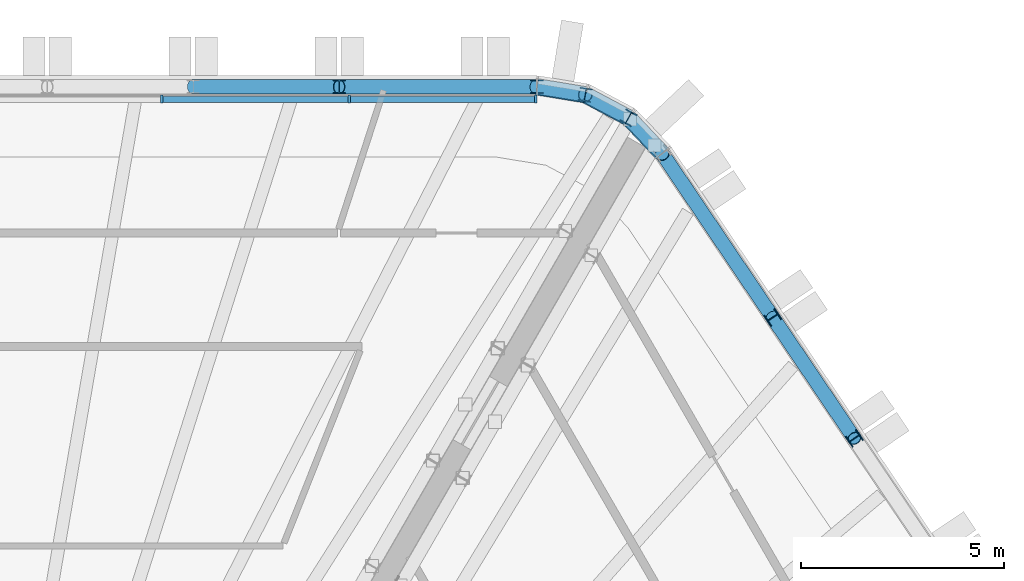
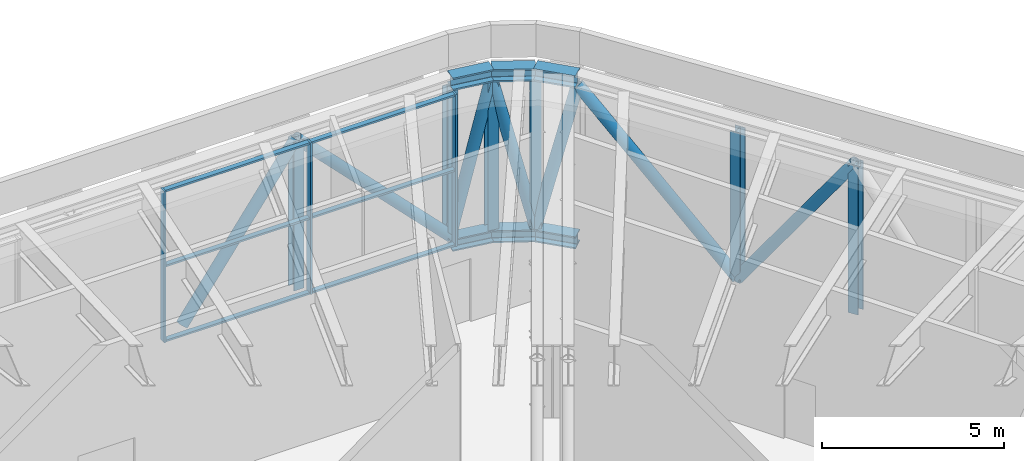
# One storey, part 9 of 24: 28 members, 1 element without a shape of its own.
"""IFC4 building model written with IfcOpenShell, lengths in metres."""

from ifc_helpers import new_model, si_unit, direction, frame, origin, origin_2d, place, context, subcontext, project, spatial, rectangle, hollow_circle, i_section, extrude, material, material_profile, profile_set, type_object, element, aggregate, save


model = new_model("IFC4")

# Units and contexts
model_context = context("Model", 3, precision=1e-05, world=origin(), true_north=direction((0.0, 1.0)))
body_context = subcontext(model_context, "Body", "Model", "MODEL_VIEW")
ifc_project = project(units=[si_unit("LENGTHUNIT", "METRE"), si_unit("AREAUNIT", "SQUARE_METRE"), si_unit("VOLUMEUNIT", "CUBIC_METRE"), si_unit("PLANEANGLEUNIT", "RADIAN"), si_unit("MASSUNIT", "GRAM", prefix="KILO")], contexts=[model_context])

# Site, building, storey
site_placement = place(None, origin())
site = spatial("IfcSite", under=ifc_project, at=site_placement, CompositionType="ELEMENT")
building_placement = place(site_placement, origin())
building = spatial("IfcBuilding", under=site, at=building_placement, Name="Tarnside Tower", CompositionType="ELEMENT")
storey_placement = place(building_placement, frame((0.0, 0.0, 250.199951171875)))
storey = spatial("IfcBuildingStorey", under=building, at=storey_placement, Name="L60", CompositionType="ELEMENT", Elevation=250.199951171875)

# Curtain wall, members
ifc_material_1 = material(Name="Sky lobby glazing wall", Category="glass")
curtain_wall_type = type_object("IfcCurtainWallType", Name="Sky lobby glazing wall", PredefinedType="NOTDEFINED", material=ifc_material_1)
curtain_wall_placement = place(storey_placement, origin())
curtain_wall = element("IfcCurtainWall", 1, at=curtain_wall_placement, inside=storey, type_object=curtain_wall_type, Name="Sky lobby glazing L60 F1", PredefinedType="NOTDEFINED")
ifc_material_2 = material(Name="Aluminium alloy 6063", Category="aluminium")
ifc_material_profile_1 = material_profile(ifc_material_2, rectangle(XDim=0.199951171875, YDim=0.06005859375, at=origin_2d()), Name="Sky lobby glazing mullion 60 x 200")
ifc_profile_set_1 = profile_set([ifc_material_profile_1], Name="Aluminium alloy 6063")
member_type_1 = type_object("IfcMemberType", Name="Sky lobby glazing mullion 60 x 200", PredefinedType="MULLION", material=ifc_profile_set_1)
member_1_placement = place(storey_placement, frame((12.73095703125, 27.42138671875, 0.0), z_axis=(0.0, 0.0, 1.0), x_axis=(0.0, -1.0, 0.0)))
member_1 = element("IfcMember", 2, at=member_1_placement, type_object=member_type_1, Name="CW4 mullion 1", PredefinedType="MULLION", context=body_context, shape_type="SweptSolid", body=[
    extrude(rectangle(XDim=0.199951171875, YDim=0.06005859375, at=origin_2d()), origin(), (0.0, 0.0, 1.0), 5.0810546875),
])
member_2_placement = place(storey_placement, frame((8.134765625, 27.42138671875, 0.0), z_axis=(0.0, 0.0, 1.0), x_axis=(0.0, -1.0, 0.0)))
member_2 = element("IfcMember", 3, at=member_2_placement, type_object=member_type_1, Name="CW4 mullion 2", PredefinedType="MULLION", context=body_context, shape_type="SweptSolid", body=[
    extrude(rectangle(XDim=0.199951171875, YDim=0.06005859375, at=origin_2d()), origin(), (0.0, 0.0, 1.0), 5.0810546875),
])
member_3_placement = place(storey_placement, frame((3.50830078125, 27.42138671875, 0.0), z_axis=(0.0, 0.0, 1.0), x_axis=(0.0, -1.0, 0.0)))
member_3 = element("IfcMember", 4, at=member_3_placement, type_object=member_type_1, Name="CW4 mullion 3", PredefinedType="MULLION", context=body_context, shape_type="SweptSolid", body=[
    extrude(rectangle(XDim=0.199951171875, YDim=0.06005859375, at=origin_2d()), origin(), (0.0, 0.0, 1.0), 5.0810546875),
])
ifc_material_profile_2 = material_profile(ifc_material_2, rectangle(XDim=0.159912109375, YDim=0.06005859375, at=origin_2d()), Name="Sky lobby glazing transom 60 x 160")
ifc_profile_set_2 = profile_set([ifc_material_profile_2], Name="Aluminium alloy 6063")
member_type_2 = type_object("IfcMemberType", Name="Sky lobby glazing transom 60 x 160", PredefinedType="USERDEFINED", material=ifc_profile_set_2)
member_4_placement = place(storey_placement, frame((12.700927734375, 27.42138671875, 0.030029296875), z_axis=(-1.0, 0.0, 0.0), x_axis=(0.0, -1.0, 0.0)))
member_4 = element("IfcMember", 5, at=member_4_placement, type_object=member_type_2, Name="CW4 transom 1.1", ObjectType="TRANSOM", PredefinedType="USERDEFINED", context=body_context, shape_type="SweptSolid", body=[
    extrude(rectangle(XDim=0.159912109375, YDim=0.06005859375, at=origin_2d()), origin(), (0.0, 0.0, 1.0), 4.5361328125),
])
member_5_placement = place(storey_placement, frame((12.700927734375, 27.42138671875, 2.54052734375), z_axis=(-1.0, 0.0, 0.0), x_axis=(0.0, -1.0, 0.0)))
member_5 = element("IfcMember", 6, at=member_5_placement, type_object=member_type_2, Name="CW4 transom 1.2", ObjectType="TRANSOM", PredefinedType="USERDEFINED", context=body_context, shape_type="SweptSolid", body=[
    extrude(rectangle(XDim=0.159912109375, YDim=0.06005859375, at=origin_2d()), origin(), (0.0, 0.0, 1.0), 4.5361328125),
])
member_6_placement = place(storey_placement, frame((12.700927734375, 27.42138671875, 5.051025390625), z_axis=(-1.0, 0.0, 0.0), x_axis=(0.0, -1.0, 0.0)))
member_6 = element("IfcMember", 7, at=member_6_placement, type_object=member_type_2, Name="CW4 transom 1.3", ObjectType="TRANSOM", PredefinedType="USERDEFINED", context=body_context, shape_type="SweptSolid", body=[
    extrude(rectangle(XDim=0.159912109375, YDim=0.06005859375, at=origin_2d()), origin(), (0.0, 0.0, 1.0), 4.5361328125),
])
member_7_placement = place(storey_placement, frame((8.104736328125, 27.42138671875, 0.030029296875), z_axis=(-1.0, 0.0, 0.0), x_axis=(0.0, -1.0, 0.0)))
member_7 = element("IfcMember", 8, at=member_7_placement, type_object=member_type_2, Name="CW4 transom 2.1", ObjectType="TRANSOM", PredefinedType="USERDEFINED", context=body_context, shape_type="SweptSolid", body=[
    extrude(rectangle(XDim=0.159912109375, YDim=0.06005859375, at=origin_2d()), origin(), (0.0, 0.0, 1.0), 4.56640625),
])
member_8_placement = place(storey_placement, frame((8.104736328125, 27.42138671875, 2.54052734375), z_axis=(-1.0, 0.0, 0.0), x_axis=(0.0, -1.0, 0.0)))
member_8 = element("IfcMember", 9, at=member_8_placement, type_object=member_type_2, Name="CW4 transom 2.2", ObjectType="TRANSOM", PredefinedType="USERDEFINED", context=body_context, shape_type="SweptSolid", body=[
    extrude(rectangle(XDim=0.159912109375, YDim=0.06005859375, at=origin_2d()), origin(), (0.0, 0.0, 1.0), 4.56640625),
])
member_9_placement = place(storey_placement, frame((8.104736328125, 27.42138671875, 5.051025390625), z_axis=(-1.0, 0.0, 0.0), x_axis=(0.0, -1.0, 0.0)))
member_9 = element("IfcMember", 10, at=member_9_placement, type_object=member_type_2, Name="CW4 transom 2.3", ObjectType="TRANSOM", PredefinedType="USERDEFINED", context=body_context, shape_type="SweptSolid", body=[
    extrude(rectangle(XDim=0.159912109375, YDim=0.06005859375, at=origin_2d()), origin(), (0.0, 0.0, 1.0), 4.56640625),
])
aggregate(curtain_wall, [member_1, member_2, member_3, member_4, member_5, member_6, member_7, member_8, member_9])

# Members
ifc_material_3 = material(Name="Steel S355", Category="steel")
ifc_material_profile_3 = material_profile(ifc_material_3, i_section(OverallWidth=0.403076171875, OverallDepth=0.406494140625, WebThickness=0.026611328125, FlangeThickness=0.04296875, FilletRadius=0.01513671875, at=origin_2d()), Name="UC 356x406x340")
ifc_profile_set_3 = profile_set([ifc_material_profile_3], Name="Steel S355")
member_type_3 = type_object("IfcMemberType", Name="Truss chord UC 356x406x340", PredefinedType="CHORD", material=ifc_profile_set_3)
member_10_placement = place(storey_placement, frame((15.84912109375, 26.0830078125, -0.0966796875), z_axis=(-0.686196220404, 0.727416488061, 0.0), x_axis=(-0.727416488061, -0.686196220404, 0.0)))
element("IfcMember", 11, at=member_10_placement, inside=storey, type_object=member_type_3, Name="Belt truss bottom chord L60 corner6.1", PredefinedType="CHORD", context=body_context, shape_type="SweptSolid", body=[
    extrude(i_section(OverallWidth=0.403076171875, OverallDepth=0.406494140625, WebThickness=0.026611328125, FlangeThickness=0.04296875, FilletRadius=0.01513671875, at=origin_2d()), origin(), (0.0, 0.0, 1.0), 1.208251953125),
])
member_11_placement = place(storey_placement, frame((15.02001953125, 26.9619140625, -0.0966796875), z_axis=(-0.882950818639, 0.469465495926, 0.0), x_axis=(-0.469465495926, -0.882950818639, 0.0)))
element("IfcMember", 12, at=member_11_placement, inside=storey, type_object=member_type_3, Name="Belt truss bottom chord L60 corner6.2", PredefinedType="CHORD", context=body_context, shape_type="SweptSolid", body=[
    extrude(i_section(OverallWidth=0.403076171875, OverallDepth=0.406494140625, WebThickness=0.026611328125, FlangeThickness=0.04296875, FilletRadius=0.01513671875, at=origin_2d()), origin(), (0.0, 0.0, 1.0), 1.2080078125),
])
member_12_placement = place(storey_placement, frame((13.953369140625, 27.529052734375, -0.0966796875), z_axis=(-0.986751945211, 0.162236243244, 0.0), x_axis=(-0.162236243244, -0.986751945211, 0.0)))
element("IfcMember", 13, at=member_12_placement, inside=storey, type_object=member_type_3, Name="Belt truss bottom chord L60 corner6.3", PredefinedType="CHORD", context=body_context, shape_type="SweptSolid", body=[
    extrude(i_section(OverallWidth=0.403076171875, OverallDepth=0.406494140625, WebThickness=0.026611328125, FlangeThickness=0.04296875, FilletRadius=0.01513671875, at=origin_2d()), origin(), (0.0, 0.0, 1.0), 1.20849609375),
])
ifc_material_profile_4 = material_profile(ifc_material_3, i_section(OverallWidth=0.406982421875, OverallDepth=0.4189453125, WebThickness=0.030517578125, FlangeThickness=0.04931640625, FilletRadius=0.01513671875, at=origin_2d()), Name="UC 356x406x393")
ifc_profile_set_4 = profile_set([ifc_material_profile_4], Name="Steel S355")
member_type_4 = type_object("IfcMemberType", Name="Truss chord UC 356x406x393", PredefinedType="CHORD", material=ifc_profile_set_4)
member_13_placement = place(storey_placement, frame((15.84912109375, 26.0830078125, 5.29052734375), z_axis=(-0.686196220404, 0.727416488061, 0.0), x_axis=(-0.727416488061, -0.686196220404, 0.0)))
element("IfcMember", 14, at=member_13_placement, inside=storey, type_object=member_type_4, Name="Belt truss top chord L60 corner6.1", PredefinedType="CHORD", context=body_context, shape_type="SweptSolid", body=[
    extrude(i_section(OverallWidth=0.406982421875, OverallDepth=0.4189453125, WebThickness=0.030517578125, FlangeThickness=0.04931640625, FilletRadius=0.01513671875, at=origin_2d()), origin(), (0.0, 0.0, 1.0), 1.208251953125),
])
member_14_placement = place(storey_placement, frame((15.02001953125, 26.9619140625, 5.29052734375), z_axis=(-0.882950818639, 0.469465495926, 0.0), x_axis=(-0.469465495926, -0.882950818639, 0.0)))
element("IfcMember", 15, at=member_14_placement, inside=storey, type_object=member_type_4, Name="Belt truss top chord L60 corner6.2", PredefinedType="CHORD", context=body_context, shape_type="SweptSolid", body=[
    extrude(i_section(OverallWidth=0.406982421875, OverallDepth=0.4189453125, WebThickness=0.030517578125, FlangeThickness=0.04931640625, FilletRadius=0.01513671875, at=origin_2d()), origin(), (0.0, 0.0, 1.0), 1.2080078125),
])
member_15_placement = place(storey_placement, frame((13.953369140625, 27.529052734375, 5.29052734375), z_axis=(-0.986751945211, 0.162236243244, 0.0), x_axis=(-0.162236243244, -0.986751945211, 0.0)))
element("IfcMember", 16, at=member_15_placement, inside=storey, type_object=member_type_4, Name="Belt truss top chord L60 corner6.3", PredefinedType="CHORD", context=body_context, shape_type="SweptSolid", body=[
    extrude(i_section(OverallWidth=0.406982421875, OverallDepth=0.4189453125, WebThickness=0.030517578125, FlangeThickness=0.04931640625, FilletRadius=0.01513671875, at=origin_2d()), origin(), (0.0, 0.0, 1.0), 1.20849609375),
])
ifc_material_profile_5 = material_profile(ifc_material_3, hollow_circle(Radius=0.177734375, WallThickness=0.01611328125, at=origin_2d()), Name="CHS 355.6x16")
ifc_profile_set_5 = profile_set([ifc_material_profile_5], Name="Steel S355")
member_type_5 = type_object("IfcMemberType", Name="Truss diagonal CHS 355.6x16", PredefinedType="BRACE", material=ifc_profile_set_5)
member_16_placement = place(storey_placement, frame((12.760986328125, 27.72509765625, 0.1064453125), z_axis=(-0.700205919301, 0.0, 0.713940943339), x_axis=(0.0, -1.0, 0.0)))
element("IfcMember", 17, at=member_16_placement, inside=storey, type_object=member_type_5, Name="Belt truss diagonal L60 1", PredefinedType="BRACE", context=body_context, shape_type="SweptSolid", body=[
    extrude(hollow_circle(Radius=0.177734375, WallThickness=0.01611328125, at=origin_2d()), origin(), (0.0, 0.0, 1.0), 6.9677734375),
])
for number, where, z_axis, x_axis, name in (
    (18, (7.882080078125, 27.72509765625, 5.0810546875), (-0.586274153425, 0.0, -0.810112718716), (0.0, -1.0, 0.0), "Belt truss diagonal L60 2"),
    (19, (20.590576171875, 19.0537109375, 5.0810546875), (-0.327851624773, 0.486012401313, -0.810126692502), (-0.829012171582, -0.559230560117, 0.0), "Belt truss diagonal L60 56"),
):
    element("IfcMember", number, at=place(storey_placement, frame(where, z_axis=z_axis, x_axis=x_axis)), inside=storey, type_object=member_type_5, Name=name, PredefinedType="BRACE", context=body_context, shape_type="SweptSolid", body=[
        extrude(hollow_circle(Radius=0.177734375, WallThickness=0.01611328125, at=origin_2d()), origin(), (0.0, 0.0, 1.0), 6.140625),
    ])
member_17_placement = place(storey_placement, frame((18.577392578125, 22.0380859375, 0.1064453125), z_axis=(-0.391548735125, 0.580508227611, 0.713932619858), x_axis=(-0.829043536775, -0.559184061049, 0.0)))
element("IfcMember", 20, at=member_17_placement, inside=storey, type_object=member_type_5, Name="Belt truss diagonal L60 57", PredefinedType="BRACE", context=body_context, shape_type="SweptSolid", body=[
    extrude(hollow_circle(Radius=0.177734375, WallThickness=0.01611328125, at=origin_2d()), origin(), (0.0, 0.0, 1.0), 6.968017578125),
])
for number, where, z_axis, x_axis, name in (
    (21, (15.84912109375, 26.0830078125, 5.0810546875), (-0.16195792147, 0.171686842548, -0.971747528821), (-0.727416488061, -0.686196220404, 0.0), "Belt truss diagonal L60 58"),
    (22, (15.02001953125, 26.9619140625, 0.1064453125), (-0.208363032616, 0.110786753208, 0.971756729821), (-0.469465495926, -0.882950818639, 0.0), "Belt truss diagonal L60 59"),
):
    element("IfcMember", number, at=place(storey_placement, frame(where, z_axis=z_axis, x_axis=x_axis)), inside=storey, type_object=member_type_5, Name=name, PredefinedType="BRACE", context=body_context, shape_type="SweptSolid", body=[
        extrude(hollow_circle(Radius=0.177734375, WallThickness=0.01611328125, at=origin_2d()), origin(), (0.0, 0.0, 1.0), 5.119140625),
    ])
member_18_placement = place(storey_placement, frame((13.953369140625, 27.529052734375, 5.0810546875), z_axis=(-0.232920373072, 0.038295466744, -0.971741507313), x_axis=(-0.162236243244, -0.986751945211, 0.0)))
element("IfcMember", 23, at=member_18_placement, inside=storey, type_object=member_type_5, Name="Belt truss diagonal L60 60", PredefinedType="BRACE", context=body_context, shape_type="SweptSolid", body=[
    extrude(hollow_circle(Radius=0.177734375, WallThickness=0.01611328125, at=origin_2d()), origin(), (0.0, 0.0, 1.0), 5.119384765625),
])
ifc_material_profile_6 = material_profile(ifc_material_3, i_section(OverallWidth=0.311279296875, OverallDepth=0.3271484375, WebThickness=0.015869140625, FlangeThickness=0.02490234375, FilletRadius=0.01513671875, at=origin_2d()), Name="UC 305x305x158")
ifc_profile_set_6 = profile_set([ifc_material_profile_6], Name="Steel S355")
member_type_6 = type_object("IfcMemberType", Name="Truss post UC 305x305x158", PredefinedType="POST", material=ifc_profile_set_6)
for number, where, z_axis, x_axis, name in (
    (24, (12.760986328125, 27.72509765625, 0.1064453125), (0.0, 0.0, 1.0), (-1.0, 0.0, 0.0), "Belt truss post L60 1"),
    (25, (7.882080078125, 27.72509765625, 0.1064453125), (0.0, 0.0, 1.0), (-1.0, 0.0, 0.0), "Belt truss post L60 2"),
    (26, (20.590576171875, 19.0537109375, 0.1064453125), (0.0, 0.0, 1.0), (-0.559192903471, 0.829037572555, 0.0), "Belt truss post L60 56"),
    (27, (18.577392578125, 22.0380859375, 0.1064453125), (0.0, 0.0, 1.0), (-0.559192903471, 0.829037572555, 0.0), "Belt truss post L60 57"),
    (28, (15.02001953125, 26.9619140625, 0.1064453125), (0.0, 0.0, 1.0), (-0.882947592859, 0.469471562786, 0.0), "Belt truss post L60 59"),
    (29, (13.953369140625, 27.529052734375, 0.1064453125), (0.0, 0.0, 1.0), (-0.986761532114, 0.1621779231, 0.0), "Belt truss post L60 60"),
):
    element("IfcMember", number, at=place(storey_placement, frame(where, z_axis=z_axis, x_axis=x_axis)), inside=storey, type_object=member_type_6, Name=name, PredefinedType="POST", context=body_context, shape_type="SweptSolid", body=[
        extrude(i_section(OverallWidth=0.311279296875, OverallDepth=0.3271484375, WebThickness=0.015869140625, FlangeThickness=0.02490234375, FilletRadius=0.01513671875, at=origin_2d()), origin(), (0.0, 0.0, 1.0), 4.974609375),
    ])

save(model, "model.ifc")
